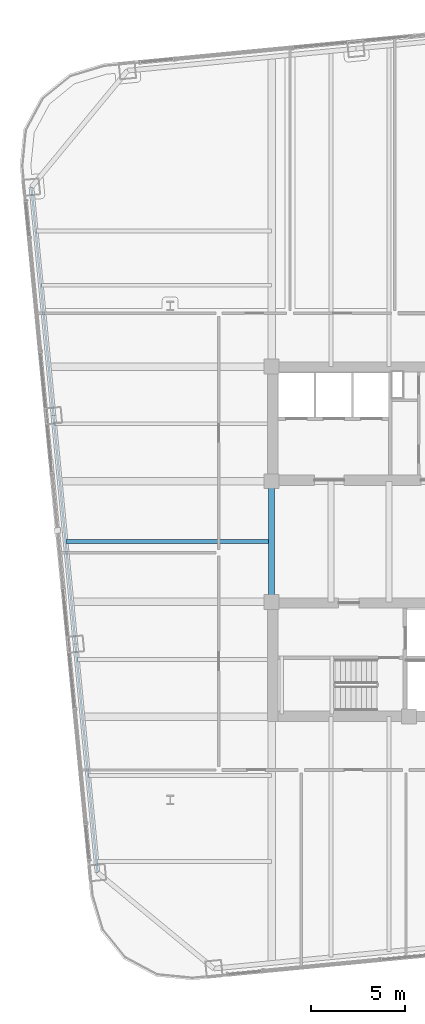
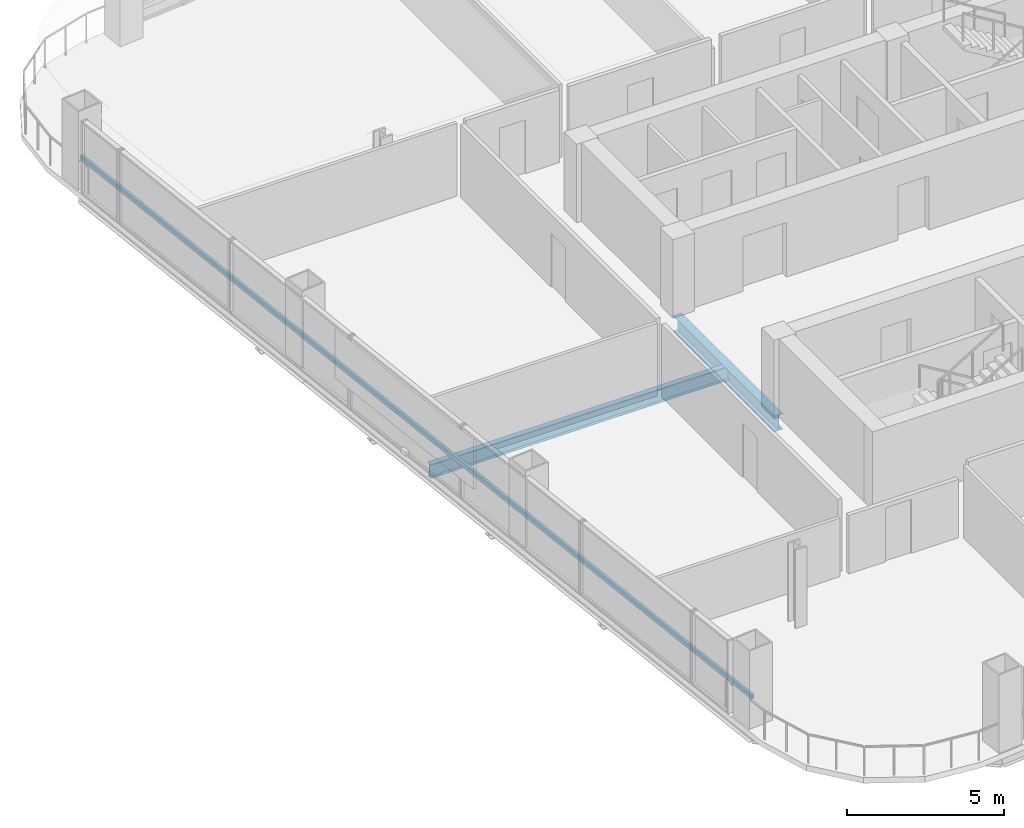
# One storey, part 10 of 34: 2 beams, 1 member.
"""IFC4 building model written with IfcOpenShell, lengths in metres."""

from ifc_helpers import new_model, si_unit, direction, frame, origin, origin_2d, place, context, subcontext, project, spatial, hollow_rectangle, i_section, extrude, material, material_profile, profile_set, type_object, element, save


model = new_model("IFC4")

# Units and contexts
model_context = context("Model", 3, precision=1e-05, world=origin(), true_north=direction((0.0, 1.0)))
body_context = subcontext(model_context, "Body", "Model", "MODEL_VIEW")
ifc_project = project(units=[si_unit("LENGTHUNIT", "METRE"), si_unit("AREAUNIT", "SQUARE_METRE"), si_unit("VOLUMEUNIT", "CUBIC_METRE"), si_unit("PLANEANGLEUNIT", "RADIAN"), si_unit("MASSUNIT", "GRAM", prefix="KILO")], contexts=[model_context])

# Site, building, storey
site_placement = place(None, origin())
site = spatial("IfcSite", under=ifc_project, at=site_placement, CompositionType="ELEMENT")
building_placement = place(site_placement, origin())
building = spatial("IfcBuilding", under=site, at=building_placement, Name="Qhalaya Broadcast Tower", CompositionType="ELEMENT")
storey_placement = place(building_placement, frame((0.0, 0.0, 78.60009765625)))
storey = spatial("IfcBuildingStorey", under=building, at=storey_placement, Name="L22", CompositionType="ELEMENT", Elevation=78.60009765625)

# Beams
ifc_material_1 = material(Name="Structural Steel ASTM A992 Grade 50", Category="steel")
ifc_material_profile_1 = material_profile(ifc_material_1, i_section(OverallWidth=0.2099609375, OverallDepth=0.535888671875, WebThickness=0.010986328125, FlangeThickness=0.017333984375, at=origin_2d()), Name="W21X68")
ifc_profile_set_1 = profile_set([ifc_material_profile_1], Name="Structural Steel ASTM A992 Grade 50")
beam_type_1 = type_object("IfcBeamType", Name="Composite Floor Joist J02", PredefinedType="JOIST", material=ifc_profile_set_1)
beam_1_placement = place(storey_placement, frame((-20.368408203125, 0.60009765625, -0.488037109375), z_axis=(1.0, 0.0, 0.0), x_axis=(0.0, 1.0, 0.0)))
element("IfcBeam", 1, at=beam_1_placement, inside=storey, type_object=beam_type_1, Name="L22 J02 L22-JWE4W-1", PredefinedType="JOIST", context=body_context, shape_type="SweptSolid", body=[
    extrude(i_section(OverallWidth=0.2099609375, OverallDepth=0.535888671875, WebThickness=0.010986328125, FlangeThickness=0.017333984375, at=origin_2d()), origin(), (0.0, 0.0, 1.0), 10.993408203125),
])
ifc_material_profile_2 = material_profile(ifc_material_1, i_section(OverallWidth=0.323974609375, OverallDepth=0.612060546875, WebThickness=0.0126953125, FlangeThickness=0.01904296875, at=origin_2d()), Name="W24X104")
ifc_profile_set_2 = profile_set([ifc_material_profile_2], Name="Structural Steel ASTM A992 Grade 50")
beam_type_2 = type_object("IfcBeamType", Name="Core Frame Tie Beam B04", PredefinedType="BEAM", material=ifc_profile_set_2)
beam_2_placement = place(storey_placement, frame((-9.375, -2.625, -0.526123046875), z_axis=(0.0, 1.0, 0.0), x_axis=(-1.0, 0.0, 0.0)))
element("IfcBeam", 2, at=beam_2_placement, inside=storey, type_object=beam_type_2, Name="L22 B04 L22-CCW", PredefinedType="BEAM", context=body_context, shape_type="SweptSolid", body=[
    extrude(i_section(OverallWidth=0.323974609375, OverallDepth=0.612060546875, WebThickness=0.0126953125, FlangeThickness=0.01904296875, at=origin_2d()), origin(), (0.0, 0.0, 1.0), 6.449951171875),
])

# Member
ifc_material_2 = material(Name="Fired Architectural Terracotta", Category="masonry")
ifc_material_profile_3 = material_profile(ifc_material_2, hollow_rectangle(XDim=0.110107421875, YDim=0.179931640625, WallThickness=0.01806640625, at=origin_2d()), Name="TB-BAG 110x180x18")
ifc_profile_set_3 = profile_set([ifc_material_profile_3], Name="Fired Architectural Terracotta")
member_type = type_object("IfcMemberType", Name="Fired Terracotta Facade Baguette Member TB1", PredefinedType="USERDEFINED", material=ifc_profile_set_3)
member_placement = place(storey_placement, frame((-22.212646484375, 19.54541015625, 0.848876953125), z_axis=(0.095845013007, -0.995396269574, 0.0), x_axis=(0.995396269574, 0.095845013007, 0.0)))
element("IfcMember", 3, at=member_placement, inside=storey, type_object=member_type, Name="L22 Terracotta Baguette Feature Rail W", ObjectType="BAGUETTE", PredefinedType="USERDEFINED", context=body_context, shape_type="SweptSolid", body=[
    extrude(hollow_rectangle(XDim=0.110107421875, YDim=0.179931640625, WallThickness=0.01806640625, at=origin_2d()), origin(), (0.0, 0.0, 1.0), 36.800048828125),
])

save(model, "model.ifc")
